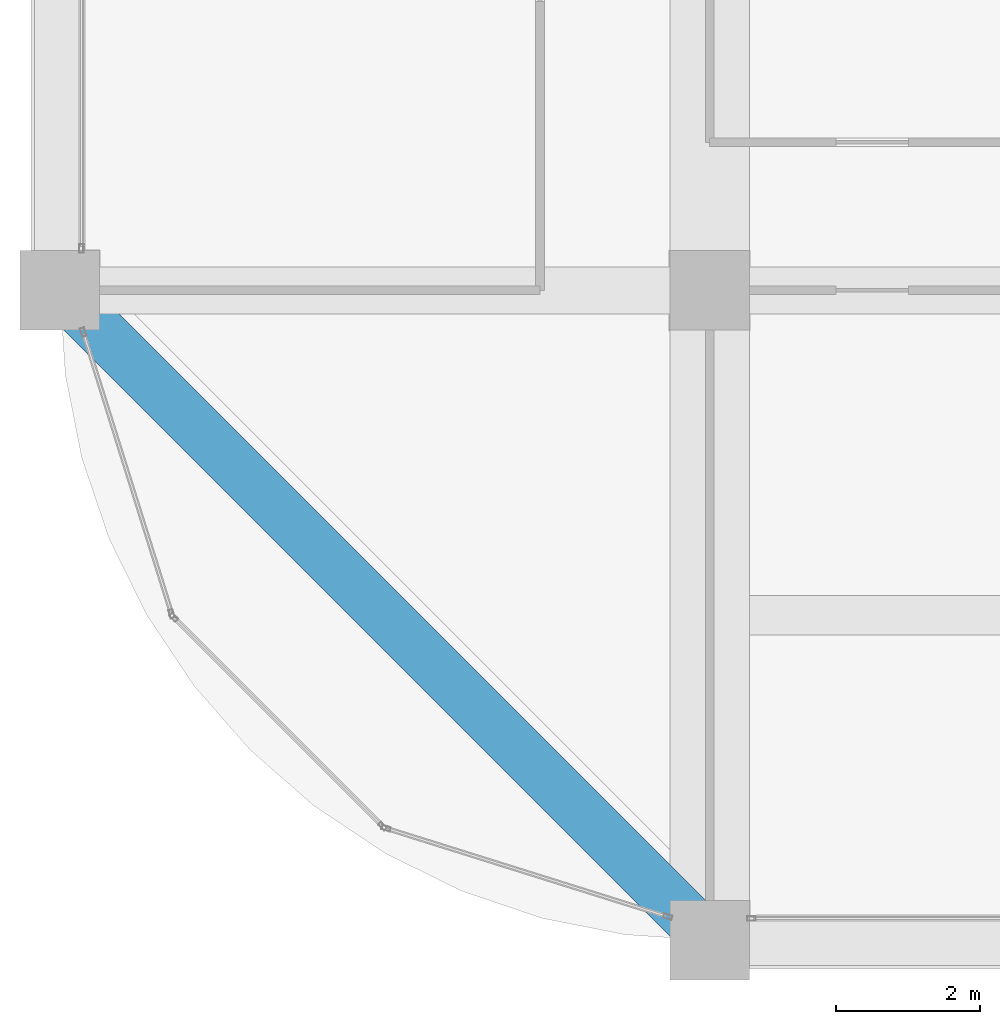
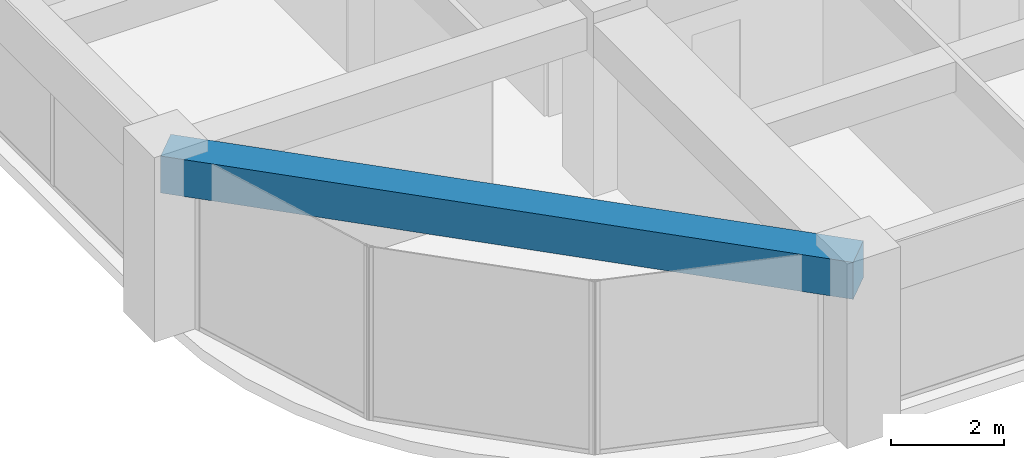
# One storey, part 3 of 45: 1 beam.
"""IFC4 building model written with IfcOpenShell, lengths in metres."""

from ifc_helpers import new_model, si_unit, direction, frame, origin, origin_2d, place, context, subcontext, project, spatial, rectangle, extrude, material, material_profile, profile_set, type_object, element, save


model = new_model("IFC4")

# Units and contexts
model_context = context("Model", 3, precision=1e-05, world=origin(), true_north=direction((0.0, 1.0)))
body_context = subcontext(model_context, "Body", "Model", "MODEL_VIEW")
ifc_project = project(units=[si_unit("LENGTHUNIT", "METRE"), si_unit("AREAUNIT", "SQUARE_METRE"), si_unit("VOLUMEUNIT", "CUBIC_METRE"), si_unit("PLANEANGLEUNIT", "RADIAN"), si_unit("MASSUNIT", "GRAM", prefix="KILO")], contexts=[model_context])

# Site, building, storey
site_placement = place(None, origin())
site = spatial("IfcSite", under=ifc_project, at=site_placement, CompositionType="ELEMENT")
building_placement = place(site_placement, origin())
building = spatial("IfcBuilding", under=site, at=building_placement, Name="Zorevar Civic Tower", CompositionType="ELEMENT")
storey_placement = place(building_placement, frame((0.0, 0.0, 303.39990234375)))
storey = spatial("IfcBuildingStorey", under=building, at=storey_placement, Name="L74", CompositionType="ELEMENT", Elevation=303.39990234375)

# Beam
ifc_material = material(Name="Concrete C50/60", Category="concrete")
ifc_material_profile = material_profile(ifc_material, rectangle(XDim=0.699951171875, YDim=0.800048828125, at=origin_2d()), Name="RC 700x800")
ifc_profile_set = profile_set([ifc_material_profile], Name="Concrete C50/60")
beam_type = type_object("IfcBeamType", Name="Edge beam RC 700x800", PredefinedType="SPANDREL", material=ifc_profile_set)
beam_placement = place(storey_placement, frame((9.0, 9.0, 3.35009765625), z_axis=(0.707106781187, -0.707106781187, 0.0), x_axis=(0.707106781187, 0.707106781187, 0.0)))
element("IfcBeam", 1, at=beam_placement, inside=storey, type_object=beam_type, Name="Corner edge beam L75", PredefinedType="SPANDREL", context=body_context, shape_type="SweptSolid", body=[
    extrude(rectangle(XDim=0.699951171875, YDim=0.800048828125, at=origin_2d()), origin(), (0.0, 0.0, 1.0), 12.72802734375),
])

save(model, "model.ifc")
